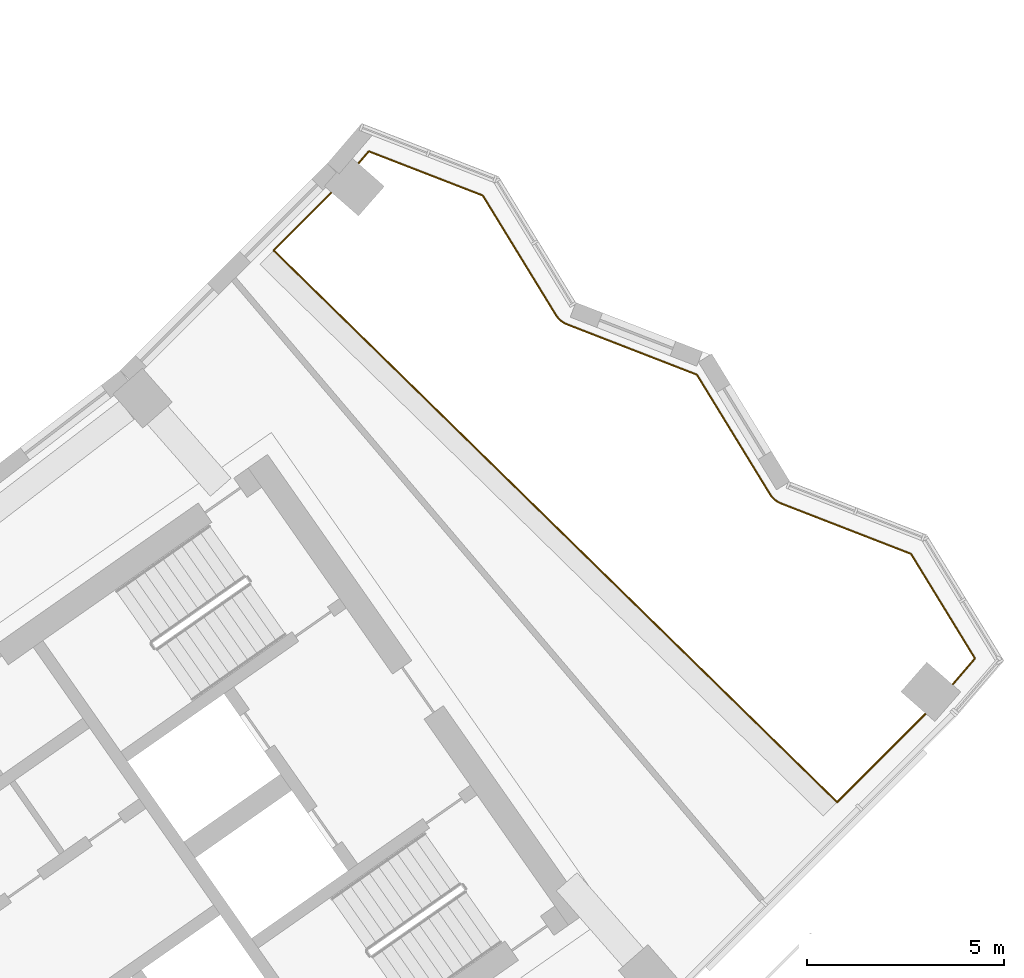
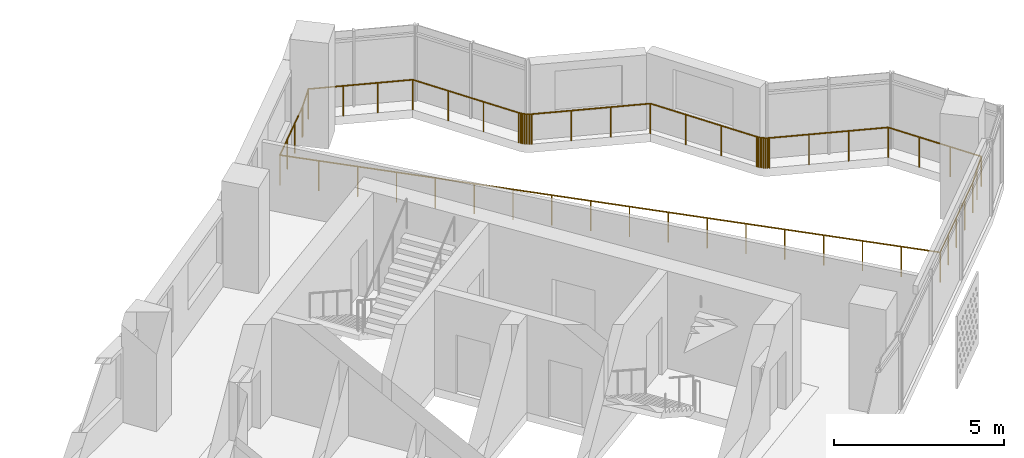
# One storey, part 29 of 29: 1 railing.
"""IFC4 building model written with IfcOpenShell, lengths in metres."""

from ifc_helpers import new_model, si_unit, direction, frame, origin, origin_2d, place, context, subcontext, project, spatial, circle, extrude, material, type_object, element, save


model = new_model("IFC4")

# Units and contexts
model_context = context("Model", 3, precision=1e-05, world=origin(), true_north=direction((0.0, 1.0)))
body_context = subcontext(model_context, "Body", "Model", "MODEL_VIEW")
ifc_project = project(units=[si_unit("LENGTHUNIT", "METRE"), si_unit("AREAUNIT", "SQUARE_METRE"), si_unit("VOLUMEUNIT", "CUBIC_METRE"), si_unit("PLANEANGLEUNIT", "RADIAN"), si_unit("MASSUNIT", "GRAM", prefix="KILO")], contexts=[model_context])

# Site, building, storey
site_placement = place(None, origin())
site = spatial("IfcSite", under=ifc_project, at=site_placement, CompositionType="ELEMENT")
building_placement = place(site_placement, origin())
building = spatial("IfcBuilding", under=site, at=building_placement, Name="Qamariyya Broadcast Tower", CompositionType="ELEMENT")
storey_placement = place(building_placement, frame((0.0, 0.0, 207.5)))
storey = spatial("IfcBuildingStorey", under=building, at=storey_placement, Name="L49", CompositionType="ELEMENT", Elevation=207.5)

# Railing
ifc_material = material(Name="Stainless steel S316 balustrade", Category="steel")
railing_type = type_object("IfcRailingType", Name="Garden void guard", PredefinedType="GUARDRAIL", material=ifc_material)
railing_placement = place(storey_placement, frame((43.542236328125, -38.23779296875, 0.0)))
element("IfcRailing", 1, at=railing_placement, inside=storey, type_object=railing_type, Name="Guard round Sky garden B4", PredefinedType="GUARDRAIL", context=body_context, shape_type="SweptSolid", body=[
    extrude(circle(Radius=0.02392578125, at=origin_2d()), frame((0.0, 0.0, 1.076171875), z_axis=(-0.707106781187, -0.707106781187, 0.0), x_axis=(0.707106781187, -0.707106781187, 0.0)), (0.0, 0.0, 1.0), 2.54541015625),
    extrude(circle(Radius=0.02392578125, at=origin_2d()), frame((-1.7998046875, -1.7998046875, 1.076171875), z_axis=(0.714475435112, -0.6996605267, 0.0), x_axis=(0.6996605267, 0.714475435112, 0.0)), (0.0, 0.0, 1.0), 20.055419921875),
    extrude(circle(Radius=0.02392578125, at=origin_2d()), frame((12.529296875, -15.831787109375, 1.076171875), z_axis=(0.707139725803, 0.707073835035, 0.0), x_axis=(-0.707073835035, 0.707139725803, 0.0)), (0.0, 0.0, 1.0), 3.705322265625),
    extrude(circle(Radius=0.02392578125, at=origin_2d()), frame((15.1494140625, -13.2119140625, 1.076171875), z_axis=(0.650584600217, 0.75943378774, 0.0), x_axis=(-0.75943378774, 0.650584600217, 0.0)), (0.0, 0.0, 1.0), 1.361572265625),
    extrude(circle(Radius=0.02392578125, at=origin_2d()), frame((16.03515625, -12.177978515625, 1.076171875), z_axis=(-0.521744589244, 0.853101742815, 0.0), x_axis=(-0.853101742815, -0.521744589244, 0.0)), (0.0, 0.0, 1.0), 3.117431640625),
    extrude(circle(Radius=0.02392578125, at=origin_2d()), frame((14.40869140625, -9.5185546875, 1.076171875), z_axis=(-0.932316648361, 0.361643010701, 0.0), x_axis=(-0.361643010701, -0.932316648361, 0.0)), (0.0, 0.0, 1.0), 3.535400390625),
    extrude(circle(Radius=0.02392578125, at=origin_2d()), frame((11.112548828125, -8.239990234375, 1.076171875), z_axis=(-0.913631192994, 0.406544023677, 0.0), x_axis=(-0.406544023677, -0.913631192994, 0.0)), (0.0, 0.0, 1.0), 0.055908203125),
    extrude(circle(Radius=0.02392578125, at=origin_2d()), frame((11.0615234375, -8.21728515625, 1.076171875), z_axis=(-0.874363415099, 0.48527169538, 0.0), x_axis=(-0.48527169538, -0.874363415099, 0.0)), (0.0, 0.0, 1.0), 0.055908203125),
    extrude(circle(Radius=0.02392578125, at=origin_2d()), frame((11.0126953125, -8.190185546875, 1.076171875), z_axis=(-0.82250706845, 0.568754887758, 0.0), x_axis=(-0.568754887758, -0.82250706845, 0.0)), (0.0, 0.0, 1.0), 0.055908203125),
    extrude(circle(Radius=0.02392578125, at=origin_2d()), frame((10.966796875, -8.158447265625, 1.076171875), z_axis=(-0.767505910603, 0.641041868515, 0.0), x_axis=(-0.641041868515, -0.767505910603, 0.0)), (0.0, 0.0, 1.0), 0.055908203125),
    extrude(circle(Radius=0.02392578125, at=origin_2d()), frame((10.923828125, -8.12255859375, 1.076171875), z_axis=(-0.70491421779, 0.709292566969, 0.0), x_axis=(-0.709292566969, -0.70491421779, 0.0)), (0.0, 0.0, 1.0), 0.0556640625),
    extrude(circle(Radius=0.02392578125, at=origin_2d()), frame((10.884521484375, -8.0830078125, 1.076171875), z_axis=(-0.636318120368, 0.771426762364, 0.0), x_axis=(-0.771426762364, -0.636318120368, 0.0)), (0.0, 0.0, 1.0), 0.055908203125),
    extrude(circle(Radius=0.02392578125, at=origin_2d()), frame((10.848876953125, -8.039794921875, 1.076171875), z_axis=(-0.560751274748, 0.82798430412, 0.0), x_axis=(-0.82798430412, -0.560751274748, 0.0)), (0.0, 0.0, 1.0), 0.0556640625),
    extrude(circle(Radius=0.02392578125, at=origin_2d()), frame((10.817626953125, -7.99365234375, 1.076171875), z_axis=(-0.521800027605, 0.853067835047, 0.0), x_axis=(-0.853067835047, -0.521800027605, 0.0)), (0.0, 0.0, 1.0), 3.554443359375),
    extrude(circle(Radius=0.02392578125, at=origin_2d()), frame((8.962890625, -4.96142578125, 1.076171875), z_axis=(-0.932336123606, 0.361592799457, 0.0), x_axis=(-0.361592799457, -0.932336123606, 0.0)), (0.0, 0.0, 1.0), 3.53466796875),
    extrude(circle(Radius=0.02392578125, at=origin_2d()), frame((5.66748046875, -3.683349609375, 1.076171875), z_axis=(-0.91525044817, 0.402885364745, 0.0), x_axis=(-0.402885364745, -0.91525044817, 0.0)), (0.0, 0.0, 1.0), 0.0556640625),
    extrude(circle(Radius=0.02392578125, at=origin_2d()), frame((5.616455078125, -3.660888671875, 1.076171875), z_axis=(-0.871458560697, 0.490469139689, 0.0), x_axis=(-0.490469139689, -0.871458560697, 0.0)), (0.0, 0.0, 1.0), 0.0556640625),
    extrude(circle(Radius=0.02392578125, at=origin_2d()), frame((5.56787109375, -3.633544921875, 1.076171875), z_axis=(-0.823914707919, 0.566713820261, 0.0), x_axis=(-0.566713820261, -0.823914707919, 0.0)), (0.0, 0.0, 1.0), 0.055908203125),
    extrude(circle(Radius=0.02392578125, at=origin_2d()), frame((5.521728515625, -3.601806640625, 1.076171875), z_axis=(-0.767861504265, 0.640615883558, 0.0), x_axis=(-0.640615883558, -0.767861504265, 0.0)), (0.0, 0.0, 1.0), 0.0556640625),
    extrude(circle(Radius=0.02392578125, at=origin_2d()), frame((5.47900390625, -3.566162109375, 1.076171875), z_axis=(-0.704927731086, 0.709279136833, 0.0), x_axis=(-0.709279136833, -0.704927731086, 0.0)), (0.0, 0.0, 1.0), 0.05615234375),
    extrude(circle(Radius=0.02392578125, at=origin_2d()), frame((5.439453125, -3.5263671875, 1.076171875), z_axis=(-0.635860949979, 0.771803635837, 0.0), x_axis=(-0.771803635837, -0.635860949979, 0.0)), (0.0, 0.0, 1.0), 0.0556640625),
    extrude(circle(Radius=0.02392578125, at=origin_2d()), frame((5.404052734375, -3.4833984375, 1.076171875), z_axis=(-0.560751274748, 0.82798430412, 0.0), x_axis=(-0.82798430412, -0.560751274748, 0.0)), (0.0, 0.0, 1.0), 0.0556640625),
    extrude(circle(Radius=0.02392578125, at=origin_2d()), frame((5.372802734375, -3.437255859375, 1.076171875), z_axis=(-0.521877635993, 0.853020359107, 0.0), x_axis=(-0.853020359107, -0.521877635993, 0.0)), (0.0, 0.0, 1.0), 3.555908203125),
    extrude(circle(Radius=0.02392578125, at=origin_2d()), frame((3.51708984375, -0.404052734375, 1.076171875), z_axis=(-0.932399122491, 0.361430320224, 0.0), x_axis=(-0.361430320224, -0.932399122491, 0.0)), (0.0, 0.0, 1.0), 3.108642578125),
    extrude(circle(Radius=0.02392578125, at=origin_2d()), frame((0.61865234375, 0.719482421875, 1.076171875), z_axis=(-0.650501754597, -0.759504751313, 0.0), x_axis=(0.759504751313, -0.650501754597, 0.0)), (0.0, 0.0, 1.0), 0.902587890625),
    extrude(circle(Radius=0.02392578125, at=origin_2d()), frame((0.031494140625, 0.033935546875, 1.076171875), z_axis=(-0.680248811934, -0.732981277975, 0.0), x_axis=(0.732981277975, -0.680248811934, 0.0)), (0.0, 0.0, 1.0), 0.04638671875),
    extrude(circle(Radius=0.02099609375, at=origin_2d()), origin(), (0.0, 0.0, 1.0), 1.052001953125),
    extrude(circle(Radius=0.02099609375, at=origin_2d()), frame((-0.599853515625, -0.599853515625, 0.0)), (0.0, 0.0, 1.0), 1.052001953125),
    extrude(circle(Radius=0.02099609375, at=origin_2d()), frame((-1.199951171875, -1.199951171875, 0.0)), (0.0, 0.0, 1.0), 1.052001953125),
    extrude(circle(Radius=0.02099609375, at=origin_2d()), frame((-1.7998046875, -1.7998046875, 0.0)), (0.0, 0.0, 1.0), 1.052001953125),
    extrude(circle(Radius=0.02099609375, at=origin_2d()), frame((-0.95703125, -2.625244140625, 0.0)), (0.0, 0.0, 1.0), 1.052001953125),
    extrude(circle(Radius=0.02099609375, at=origin_2d()), frame((-0.114013671875, -3.45068359375, 0.0)), (0.0, 0.0, 1.0), 1.052001953125),
    extrude(circle(Radius=0.02099609375, at=origin_2d()), frame((0.728759765625, -4.276123046875, 0.0)), (0.0, 0.0, 1.0), 1.052001953125),
    extrude(circle(Radius=0.02099609375, at=origin_2d()), frame((1.57177734375, -5.1015625, 0.0)), (0.0, 0.0, 1.0), 1.052001953125),
    extrude(circle(Radius=0.02099609375, at=origin_2d()), frame((2.41455078125, -5.9267578125, 0.0)), (0.0, 0.0, 1.0), 1.052001953125),
    extrude(circle(Radius=0.02099609375, at=origin_2d()), frame((3.257568359375, -6.752197265625, 0.0)), (0.0, 0.0, 1.0), 1.052001953125),
    extrude(circle(Radius=0.02099609375, at=origin_2d()), frame((4.100341796875, -7.57763671875, 0.0)), (0.0, 0.0, 1.0), 1.052001953125),
    extrude(circle(Radius=0.02099609375, at=origin_2d()), frame((4.943359375, -8.403076171875, 0.0)), (0.0, 0.0, 1.0), 1.052001953125),
    extrude(circle(Radius=0.02099609375, at=origin_2d()), frame((5.7861328125, -9.228515625, 0.0)), (0.0, 0.0, 1.0), 1.052001953125),
    extrude(circle(Radius=0.02099609375, at=origin_2d()), frame((6.629150390625, -10.053955078125, 0.0)), (0.0, 0.0, 1.0), 1.052001953125),
    extrude(circle(Radius=0.02099609375, at=origin_2d()), frame((7.471923828125, -10.87939453125, 0.0)), (0.0, 0.0, 1.0), 1.052001953125),
    extrude(circle(Radius=0.02099609375, at=origin_2d()), frame((8.31494140625, -11.704833984375, 0.0)), (0.0, 0.0, 1.0), 1.052001953125),
    extrude(circle(Radius=0.02099609375, at=origin_2d()), frame((9.15771484375, -12.530029296875, 0.0)), (0.0, 0.0, 1.0), 1.052001953125),
    extrude(circle(Radius=0.02099609375, at=origin_2d()), frame((10.000732421875, -13.35546875, 0.0)), (0.0, 0.0, 1.0), 1.052001953125),
    extrude(circle(Radius=0.02099609375, at=origin_2d()), frame((10.843505859375, -14.180908203125, 0.0)), (0.0, 0.0, 1.0), 1.052001953125),
    extrude(circle(Radius=0.02099609375, at=origin_2d()), frame((11.6865234375, -15.00634765625, 0.0)), (0.0, 0.0, 1.0), 1.052001953125),
    extrude(circle(Radius=0.02099609375, at=origin_2d()), frame((12.529296875, -15.831787109375, 0.0)), (0.0, 0.0, 1.0), 1.052001953125),
    extrude(circle(Radius=0.02099609375, at=origin_2d()), frame((13.184326171875, -15.1767578125, 0.0)), (0.0, 0.0, 1.0), 1.052001953125),
    extrude(circle(Radius=0.02099609375, at=origin_2d()), frame((13.83935546875, -14.52197265625, 0.0)), (0.0, 0.0, 1.0), 1.052001953125),
    extrude(circle(Radius=0.02099609375, at=origin_2d()), frame((14.494384765625, -13.866943359375, 0.0)), (0.0, 0.0, 1.0), 1.052001953125),
    extrude(circle(Radius=0.02099609375, at=origin_2d()), frame((15.1494140625, -13.2119140625, 0.0)), (0.0, 0.0, 1.0), 1.052001953125),
    extrude(circle(Radius=0.02099609375, at=origin_2d()), frame((15.59228515625, -12.69482421875, 0.0)), (0.0, 0.0, 1.0), 1.052001953125),
    extrude(circle(Radius=0.02099609375, at=origin_2d()), frame((16.03515625, -12.177978515625, 0.0)), (0.0, 0.0, 1.0), 1.052001953125),
    extrude(circle(Radius=0.02099609375, at=origin_2d()), frame((15.492919921875, -11.29150390625, 0.0)), (0.0, 0.0, 1.0), 1.052001953125),
    extrude(circle(Radius=0.02099609375, at=origin_2d()), frame((14.950927734375, -10.405029296875, 0.0)), (0.0, 0.0, 1.0), 1.052001953125),
    extrude(circle(Radius=0.02099609375, at=origin_2d()), frame((14.40869140625, -9.5185546875, 0.0)), (0.0, 0.0, 1.0), 1.052001953125),
    extrude(circle(Radius=0.02099609375, at=origin_2d()), frame((13.31005859375, -9.09228515625, 0.0)), (0.0, 0.0, 1.0), 1.052001953125),
    extrude(circle(Radius=0.02099609375, at=origin_2d()), frame((12.211181640625, -8.666259765625, 0.0)), (0.0, 0.0, 1.0), 1.052001953125),
    extrude(circle(Radius=0.02099609375, at=origin_2d()), frame((11.112548828125, -8.239990234375, 0.0)), (0.0, 0.0, 1.0), 1.052001953125),
    extrude(circle(Radius=0.02099609375, at=origin_2d()), frame((11.0615234375, -8.21728515625, 0.0)), (0.0, 0.0, 1.0), 1.052001953125),
    extrude(circle(Radius=0.02099609375, at=origin_2d()), frame((11.0126953125, -8.190185546875, 0.0)), (0.0, 0.0, 1.0), 1.052001953125),
    extrude(circle(Radius=0.02099609375, at=origin_2d()), frame((10.966796875, -8.158447265625, 0.0)), (0.0, 0.0, 1.0), 1.052001953125),
    extrude(circle(Radius=0.02099609375, at=origin_2d()), frame((10.923828125, -8.12255859375, 0.0)), (0.0, 0.0, 1.0), 1.052001953125),
    extrude(circle(Radius=0.02099609375, at=origin_2d()), frame((10.884521484375, -8.0830078125, 0.0)), (0.0, 0.0, 1.0), 1.052001953125),
    extrude(circle(Radius=0.02099609375, at=origin_2d()), frame((10.848876953125, -8.039794921875, 0.0)), (0.0, 0.0, 1.0), 1.052001953125),
    extrude(circle(Radius=0.02099609375, at=origin_2d()), frame((10.817626953125, -7.99365234375, 0.0)), (0.0, 0.0, 1.0), 1.052001953125),
    extrude(circle(Radius=0.02099609375, at=origin_2d()), frame((10.199462890625, -6.98291015625, 0.0)), (0.0, 0.0, 1.0), 1.052001953125),
    extrude(circle(Radius=0.02099609375, at=origin_2d()), frame((9.5810546875, -5.97216796875, 0.0)), (0.0, 0.0, 1.0), 1.052001953125),
    extrude(circle(Radius=0.02099609375, at=origin_2d()), frame((8.962890625, -4.96142578125, 0.0)), (0.0, 0.0, 1.0), 1.052001953125),
    extrude(circle(Radius=0.02099609375, at=origin_2d()), frame((7.864501953125, -4.535400390625, 0.0)), (0.0, 0.0, 1.0), 1.052001953125),
    extrude(circle(Radius=0.02099609375, at=origin_2d()), frame((6.765869140625, -4.109375, 0.0)), (0.0, 0.0, 1.0), 1.052001953125),
    extrude(circle(Radius=0.02099609375, at=origin_2d()), frame((5.66748046875, -3.683349609375, 0.0)), (0.0, 0.0, 1.0), 1.052001953125),
    extrude(circle(Radius=0.02099609375, at=origin_2d()), frame((5.616455078125, -3.660888671875, 0.0)), (0.0, 0.0, 1.0), 1.052001953125),
    extrude(circle(Radius=0.02099609375, at=origin_2d()), frame((5.56787109375, -3.633544921875, 0.0)), (0.0, 0.0, 1.0), 1.052001953125),
    extrude(circle(Radius=0.02099609375, at=origin_2d()), frame((5.521728515625, -3.601806640625, 0.0)), (0.0, 0.0, 1.0), 1.052001953125),
    extrude(circle(Radius=0.02099609375, at=origin_2d()), frame((5.47900390625, -3.566162109375, 0.0)), (0.0, 0.0, 1.0), 1.052001953125),
    extrude(circle(Radius=0.02099609375, at=origin_2d()), frame((5.439453125, -3.5263671875, 0.0)), (0.0, 0.0, 1.0), 1.052001953125),
    extrude(circle(Radius=0.02099609375, at=origin_2d()), frame((5.404052734375, -3.4833984375, 0.0)), (0.0, 0.0, 1.0), 1.052001953125),
    extrude(circle(Radius=0.02099609375, at=origin_2d()), frame((5.372802734375, -3.437255859375, 0.0)), (0.0, 0.0, 1.0), 1.052001953125),
    extrude(circle(Radius=0.02099609375, at=origin_2d()), frame((4.754150390625, -2.42626953125, 0.0)), (0.0, 0.0, 1.0), 1.052001953125),
    extrude(circle(Radius=0.02099609375, at=origin_2d()), frame((4.1357421875, -1.4150390625, 0.0)), (0.0, 0.0, 1.0), 1.052001953125),
    extrude(circle(Radius=0.02099609375, at=origin_2d()), frame((3.51708984375, -0.404052734375, 0.0)), (0.0, 0.0, 1.0), 1.052001953125),
    extrude(circle(Radius=0.02099609375, at=origin_2d()), frame((2.551025390625, -0.029541015625, 0.0)), (0.0, 0.0, 1.0), 1.052001953125),
    extrude(circle(Radius=0.02099609375, at=origin_2d()), frame((1.584716796875, 0.344970703125, 0.0)), (0.0, 0.0, 1.0), 1.052001953125),
    extrude(circle(Radius=0.02099609375, at=origin_2d()), frame((0.61865234375, 0.719482421875, 0.0)), (0.0, 0.0, 1.0), 1.052001953125),
    extrude(circle(Radius=0.02099609375, at=origin_2d()), frame((0.031494140625, 0.033935546875, 0.0)), (0.0, 0.0, 1.0), 1.052001953125),
])

save(model, "model.ifc")
